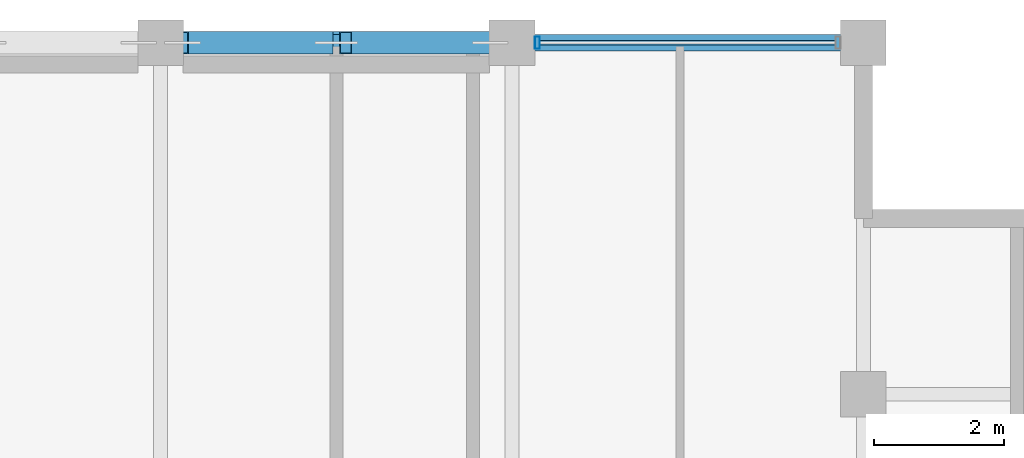
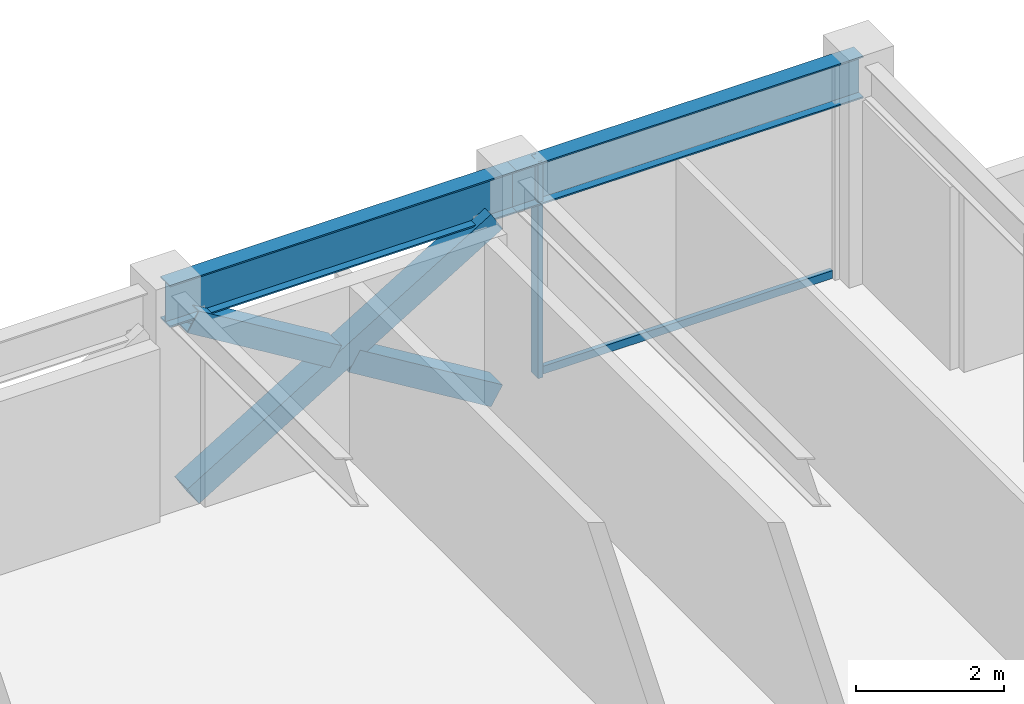
# One storey, part 20 of 31: 5 members, 2 beams, 1 element without a shape of its own.
"""IFC4 building model written with IfcOpenShell, lengths in metres."""

from ifc_helpers import new_model, si_unit, direction, frame, origin, origin_2d, place, context, subcontext, project, spatial, hollow_rectangle, i_section, extrude, material, layer, layer_set, material_profile, profile_set, type_object, element, aggregate, save


model = new_model("IFC4")

# Units and contexts
model_context = context("Model", 3, precision=1e-05, world=origin(), true_north=direction((0.0, 1.0)))
body_context = subcontext(model_context, "Body", "Model", "MODEL_VIEW")
ifc_project = project(units=[si_unit("LENGTHUNIT", "METRE"), si_unit("AREAUNIT", "SQUARE_METRE"), si_unit("VOLUMEUNIT", "CUBIC_METRE"), si_unit("PLANEANGLEUNIT", "RADIAN"), si_unit("MASSUNIT", "GRAM", prefix="KILO")], contexts=[model_context])

# Site, building, storey
site_placement = place(None, origin())
site = spatial("IfcSite", under=ifc_project, at=site_placement, CompositionType="ELEMENT")
building_placement = place(site_placement, origin())
building = spatial("IfcBuilding", under=site, at=building_placement, Name="Surkhivell Harbour Commons", CompositionType="ELEMENT")
storey_placement = place(building_placement, frame((0.0, 0.0, 315.0)))
storey = spatial("IfcBuildingStorey", under=building, at=storey_placement, Name="L82", CompositionType="ELEMENT", Elevation=315.0)

# Beams
ifc_material_1 = material(Name="Steel S355", Category="steel")
ifc_material_profile_1 = material_profile(ifc_material_1, i_section(OverallWidth=0.256103515625, OverallDepth=0.693115234375, WebThickness=0.014404296875, FlangeThickness=0.023681640625, at=origin_2d()), Name="UB686x254x170")
ifc_profile_set_1 = profile_set([ifc_material_profile_1], Name="Steel S355")
beam_type = type_object("IfcBeamType", Name="BM-SPN-686", PredefinedType="SPANDREL", material=ifc_profile_set_1)
beam_1_placement = place(storey_placement, frame((0.0, 25.89990234375, 3.223388671875), z_axis=(1.0, 0.0, 0.0), x_axis=(0.0, 1.0, 0.0)))
element("IfcBeam", 1, at=beam_1_placement, inside=storey, type_object=beam_type, Name="L82 Tube Spandrel (-0.0,25.9)", PredefinedType="SPANDREL", context=body_context, shape_type="SweptSolid", body=[
    extrude(i_section(OverallWidth=0.256103515625, OverallDepth=0.693115234375, WebThickness=0.014404296875, FlangeThickness=0.023681640625, at=origin_2d()), origin(), (0.0, 0.0, 1.0), 5.39990234375),
])
beam_2_placement = place(storey_placement, frame((5.39990234375, 25.89990234375, 3.223388671875), z_axis=(1.0, 0.0, 0.0), x_axis=(0.0, 1.0, 0.0)))
element("IfcBeam", 2, at=beam_2_placement, inside=storey, type_object=beam_type, Name="L82 Tube Spandrel (5.4,25.9)", PredefinedType="SPANDREL", context=body_context, shape_type="SweptSolid", body=[
    extrude(i_section(OverallWidth=0.256103515625, OverallDepth=0.693115234375, WebThickness=0.014404296875, FlangeThickness=0.023681640625, at=origin_2d()), origin(), (0.0, 0.0, 1.0), 5.400146484375),
])

# Curtain wall, members
ifc_material_2 = material(Name="Anodised pale-metal aluminium and insulated glazing", Category="aluminium")
ifc_layer = layer(ifc_material_2, 0.175048828125)
ifc_layer_set = layer_set([ifc_layer], Name="Anodised pale-metal aluminium and insulated glazing")
curtain_wall_type = type_object("IfcCurtainWallType", Name="CW-SYS-Z4", PredefinedType="NOTDEFINED", material=ifc_layer_set)
curtain_wall_placement = place(storey_placement, origin())
curtain_wall = element("IfcCurtainWall", 3, at=curtain_wall_placement, inside=storey, type_object=curtain_wall_type, Name="L82 Curtain Wall CW-L82-E07S1", PredefinedType="NOTDEFINED")
ifc_material_3 = material(Name="Anodised pale-metal aluminium alloy 6063-T6", Category="aluminium")
ifc_material_profile_2 = material_profile(ifc_material_3, hollow_rectangle(XDim=0.074951171875, YDim=0.18994140625, WallThickness=0.00390625, at=origin_2d()), Name="ALU-MULL-75x190")
ifc_profile_set_2 = profile_set([ifc_material_profile_2], Name="Anodised pale-metal aluminium alloy 6063-T6")
member_type_1 = type_object("IfcMemberType", Name="CWM-190", PredefinedType="MULLION", material=ifc_profile_set_2)
member_1_placement = place(storey_placement, frame((5.78955078125, 25.89990234375, 0.0), z_axis=(0.0, 0.0, 1.0), x_axis=(-1.0, 0.0, 0.0)))
member_1 = element("IfcMember", 4, at=member_1_placement, type_object=member_type_1, Name="CW-Z4 mullion 2", PredefinedType="MULLION", context=body_context, shape_type="SweptSolid", body=[
    extrude(hollow_rectangle(XDim=0.074951171875, YDim=0.18994140625, WallThickness=0.00390625, at=origin_2d()), origin(), (0.0, 0.0, 1.0), 3.570068359375),
])
ifc_material_4 = material(Name="Champagne anodised aluminium alloy 6063-T6", Category="aluminium")
ifc_material_profile_3 = material_profile(ifc_material_4, hollow_rectangle(XDim=0.070068359375, YDim=0.1298828125, WallThickness=0.00341796875, at=origin_2d()), Name="ALU-TRAN-70x130")
ifc_profile_set_3 = profile_set([ifc_material_profile_3], Name="Champagne anodised aluminium alloy 6063-T6")
member_type_2 = type_object("IfcMemberType", Name="CWT-130", PredefinedType="USERDEFINED", material=ifc_profile_set_3)
member_2_placement = place(storey_placement, frame((10.373046875, 25.89990234375, 0.06494140625), z_axis=(-1.0, 0.0, 0.0), x_axis=(0.0, -1.0, 0.0)))
member_2 = element("IfcMember", 5, at=member_2_placement, type_object=member_type_2, Name="CW-Z4 transom 1.1", ObjectType="TRANSOM", PredefinedType="USERDEFINED", context=body_context, shape_type="SweptSolid", body=[
    extrude(hollow_rectangle(XDim=0.070068359375, YDim=0.1298828125, WallThickness=0.00341796875, at=origin_2d()), origin(), (0.0, 0.0, 1.0), 4.546142578125),
])
aggregate(curtain_wall, [member_1, member_2])

# Members
ifc_material_profile_4 = material_profile(ifc_material_1, hollow_rectangle(XDim=0.35009765625, YDim=0.35009765625, WallThickness=0.01611328125, at=origin_2d()), Name="SHS350x350x16")
ifc_profile_set_4 = profile_set([ifc_material_profile_4], Name="Steel S355")
member_type_3 = type_object("IfcMemberType", Name="MEM-BRC-SHS350", PredefinedType="BRACE", material=ifc_profile_set_4)
member_3_placement = place(storey_placement, frame((0.3349609375, 25.89990234375, 0.008056640625), z_axis=(0.854685454322, 0.0, 0.519146197299), x_axis=(0.0, 1.0, 0.0)))
element("IfcMember", 6, at=member_3_placement, inside=storey, type_object=member_type_3, Name="L82 Perimeter Mega-Brace MB- 04", PredefinedType="BRACE", context=body_context, shape_type="SweptSolid", body=[
    extrude(hollow_rectangle(XDim=0.35009765625, YDim=0.35009765625, WallThickness=0.01611328125, at=origin_2d()), origin(), (0.0, 0.0, 1.0), 5.5341796875),
])
for number, where, z_axis, x_axis, name in (
    (7, (5.06494140625, 25.89990234375, 0.008056640625), (-0.854678858595, 0.0, 0.51915705588), (0.0, -1.0, 0.0), "L82 Perimeter Mega-Brace MB- 05"),
    (8, (2.556396484375, 25.89990234375, 1.53173828125), (-0.854678858595, 0.0, 0.51915705588), (0.0, -1.0, 0.0), "L82 Perimeter Mega-Brace MB- 06"),
):
    element("IfcMember", number, at=place(storey_placement, frame(where, z_axis=z_axis, x_axis=x_axis)), inside=storey, type_object=member_type_3, Name=name, PredefinedType="BRACE", context=body_context, shape_type="SweptSolid", body=[
        extrude(hollow_rectangle(XDim=0.35009765625, YDim=0.35009765625, WallThickness=0.01611328125, at=origin_2d()), origin(), (0.0, 0.0, 1.0), 2.59912109375),
    ])

save(model, "model.ifc")
